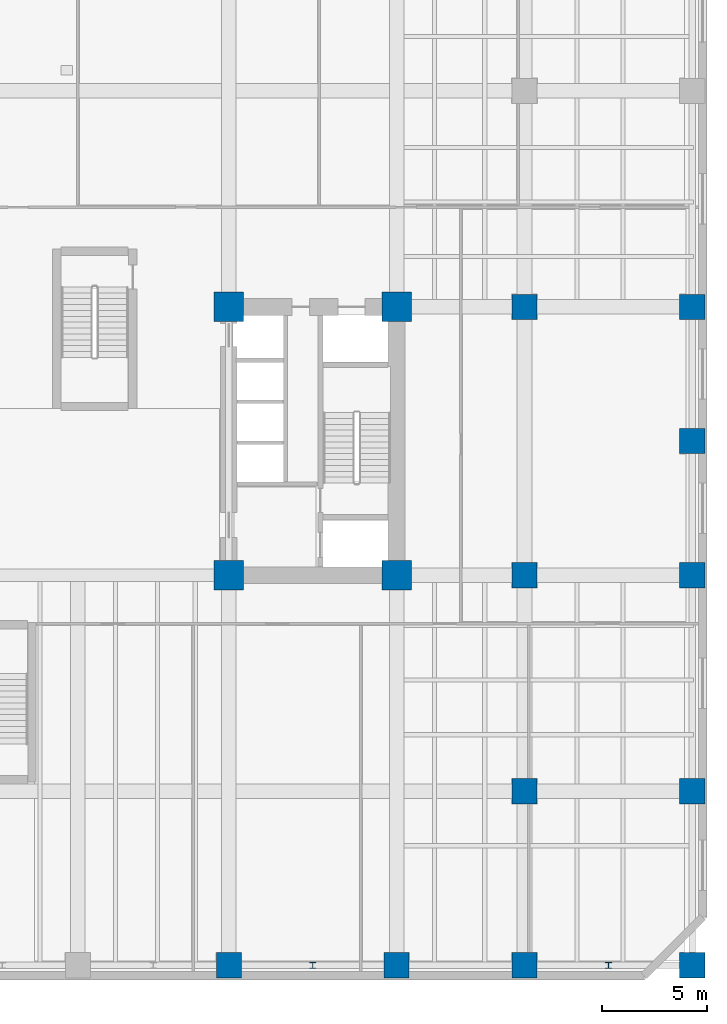
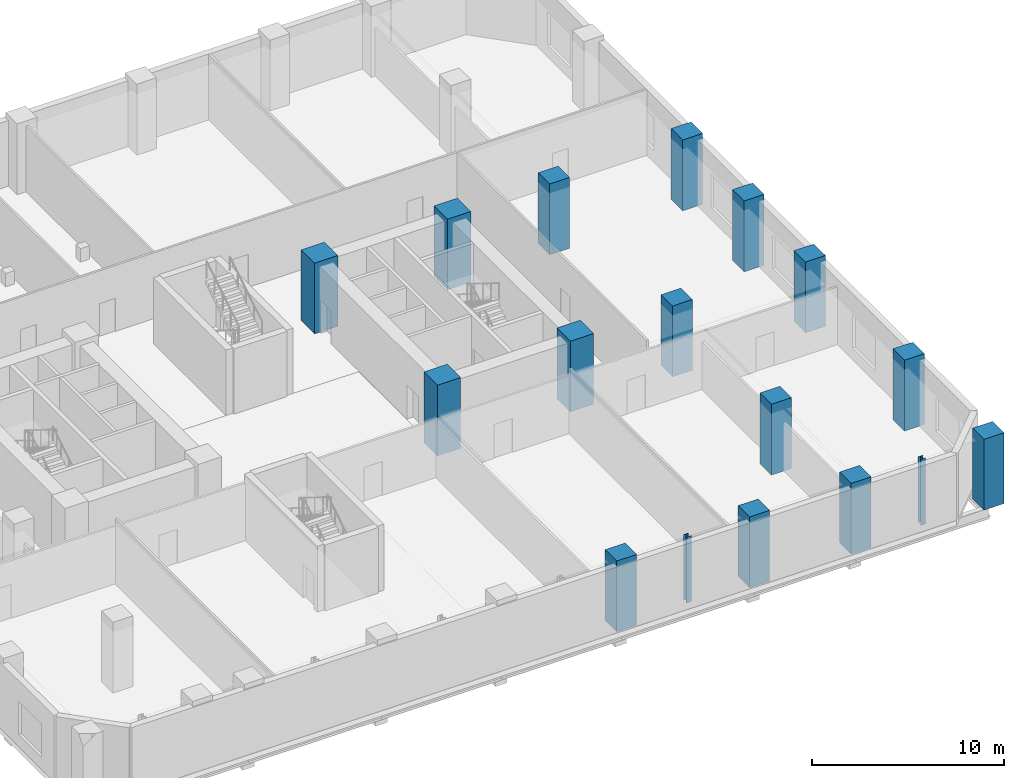
# One storey, part 2 of 15: 17 columns.
"""IFC4 building model written with IfcOpenShell, lengths in metres."""

from ifc_helpers import new_model, si_unit, direction, frame, origin, origin_2d, place, context, subcontext, project, spatial, rectangle, i_section, extrude, material, material_profile, profile_set, type_object, element, save


model = new_model("IFC4")

# Units and contexts
model_context = context("Model", 3, precision=1e-05, world=origin(), true_north=direction((0.0, 1.0)))
body_context = subcontext(model_context, "Body", "Model", "MODEL_VIEW")
ifc_project = project(units=[si_unit("LENGTHUNIT", "METRE"), si_unit("AREAUNIT", "SQUARE_METRE"), si_unit("VOLUMEUNIT", "CUBIC_METRE"), si_unit("PLANEANGLEUNIT", "RADIAN"), si_unit("MASSUNIT", "GRAM", prefix="KILO")], contexts=[model_context])

# Site, building, storey
site_placement = place(None, origin())
site = spatial("IfcSite", under=ifc_project, at=site_placement, CompositionType="ELEMENT")
building_placement = place(site_placement, origin())
building = spatial("IfcBuilding", under=site, at=building_placement, Name="Kranthara Brick Stack", CompositionType="ELEMENT")
storey_placement = place(building_placement, frame((0.0, 0.0, 9.89990234375)))
storey = spatial("IfcBuildingStorey", under=building, at=storey_placement, Name="L02", CompositionType="ELEMENT", Elevation=9.89990234375)

# Columns
ifc_material_1 = material(Name="Concrete C70/85", Category="concrete")
ifc_material_profile_1 = material_profile(ifc_material_1, rectangle(XDim=1.39990234375, YDim=1.39990234375, at=origin_2d()), Name="RC 1400x1400")
ifc_profile_set_1 = profile_set([ifc_material_profile_1], Name="Concrete C70/85")
column_type_1 = type_object("IfcColumnType", Name="COL-CORE-1400", PredefinedType="COLUMN", material=ifc_profile_set_1)
for number, where, z_axis, x_axis, name in (
    (1, (35.199951171875, 20.800048828125, 0.0), (0.0, 0.0, 1.0), (1.0, 0.0, 0.0), "L02 Column 05"),
    (2, (43.199951171875, 20.800048828125, 0.0), (0.0, 0.0, 1.0), (1.0, 0.0, 0.0), "L02 Column 06"),
    (3, (35.199951171875, 33.60009765625, 0.0), (0.0, 0.0, 1.0), (1.0, 0.0, 0.0), "L02 Column 07"),
    (4, (43.199951171875, 33.60009765625, 0.0), (0.0, 0.0, 1.0), (1.0, 0.0, 0.0), "L02 Column 08"),
):
    element("IfcColumn", number, at=place(storey_placement, frame(where, z_axis=z_axis, x_axis=x_axis)), inside=storey, type_object=column_type_1, Name=name, PredefinedType="COLUMN", context=body_context, shape_type="SweptSolid", body=[
        extrude(rectangle(XDim=1.39990234375, YDim=1.39990234375, at=origin_2d()), origin(), (0.0, 0.0, 1.0), 4.5),
    ])
ifc_material_2 = material(Name="Steel S355", Category="steel")
ifc_material_profile_2 = material_profile(ifc_material_2, i_section(OverallWidth=0.300048828125, OverallDepth=0.300048828125, WebThickness=0.010986328125, FlangeThickness=0.01904296875, at=origin_2d()), Name="HEB 300")
ifc_profile_set_2 = profile_set([ifc_material_profile_2], Name="Steel S355")
column_type_2 = type_object("IfcColumnType", Name="COL-PIL-HEB300", PredefinedType="PILASTER", material=ifc_profile_set_2)
for number, where, z_axis, x_axis, name in (
    (5, (39.199951171875, 2.199951171875, 0.0), (0.0, 0.0, 1.0), (1.0, 0.0, 0.0), "L02 Facade Pilaster 05"),
    (6, (53.300048828125, 2.199951171875, 0.0), (0.0, 0.0, 1.0), (1.0, 0.0, 0.0), "L02 Facade Pilaster 06"),
):
    element("IfcColumn", number, at=place(storey_placement, frame(where, z_axis=z_axis, x_axis=x_axis)), inside=storey, type_object=column_type_2, Name=name, PredefinedType="PILASTER", context=body_context, shape_type="SweptSolid", body=[
        extrude(i_section(OverallWidth=0.300048828125, OverallDepth=0.300048828125, WebThickness=0.010986328125, FlangeThickness=0.01904296875, at=origin_2d()), origin(), (0.0, 0.0, 1.0), 4.18017578125),
    ])
ifc_material_3 = material(Name="Concrete C70/85", Category="concrete")
ifc_material_profile_3 = material_profile(ifc_material_3, rectangle(XDim=1.199951171875, YDim=1.199951171875, at=origin_2d()), Name="RC 1200x1200")
ifc_profile_set_3 = profile_set([ifc_material_profile_3], Name="Concrete C70/85")
column_type_3 = type_object("IfcColumnType", Name="COL-RC-1200", PredefinedType="COLUMN", material=ifc_profile_set_3)
for number, where, z_axis, x_axis, name in (
    (7, (35.199951171875, 2.199951171875, 0.0), (0.0, 0.0, 1.0), (1.0, 0.0, 0.0), "L02 Column 19"),
    (8, (43.199951171875, 2.199951171875, 0.0), (0.0, 0.0, 1.0), (1.0, 0.0, 0.0), "L02 Column 21"),
    (9, (49.300048828125, 2.199951171875, 0.0), (0.0, 0.0, 1.0), (1.0, 0.0, 0.0), "L02 Column 23"),
    (10, (57.300048828125, 2.199951171875, 0.0), (0.0, 0.0, 1.0), (1.0, 0.0, 0.0), "L02 Column 25"),
    (11, (57.300048828125, 10.5, 0.0), (0.0, 0.0, 1.0), (1.0, 0.0, 0.0), "L02 Column 28"),
    (12, (57.300048828125, 20.800048828125, 0.0), (0.0, 0.0, 1.0), (1.0, 0.0, 0.0), "L02 Column 30"),
    (13, (57.300048828125, 27.199951171875, 0.0), (0.0, 0.0, 1.0), (1.0, 0.0, 0.0), "L02 Column 32"),
    (14, (57.300048828125, 33.60009765625, 0.0), (0.0, 0.0, 1.0), (1.0, 0.0, 0.0), "L02 Column 34"),
    (15, (49.300048828125, 10.5, 0.0), (0.0, 0.0, 1.0), (1.0, 0.0, 0.0), "L02 Column 41"),
    (16, (49.300048828125, 20.800048828125, 0.0), (0.0, 0.0, 1.0), (1.0, 0.0, 0.0), "L02 Column 42"),
    (17, (49.300048828125, 33.60009765625, 0.0), (0.0, 0.0, 1.0), (1.0, 0.0, 0.0), "L02 Column 43"),
):
    element("IfcColumn", number, at=place(storey_placement, frame(where, z_axis=z_axis, x_axis=x_axis)), inside=storey, type_object=column_type_3, Name=name, PredefinedType="COLUMN", context=body_context, shape_type="SweptSolid", body=[
        extrude(rectangle(XDim=1.199951171875, YDim=1.199951171875, at=origin_2d()), origin(), (0.0, 0.0, 1.0), 4.5),
    ])

save(model, "model.ifc")
